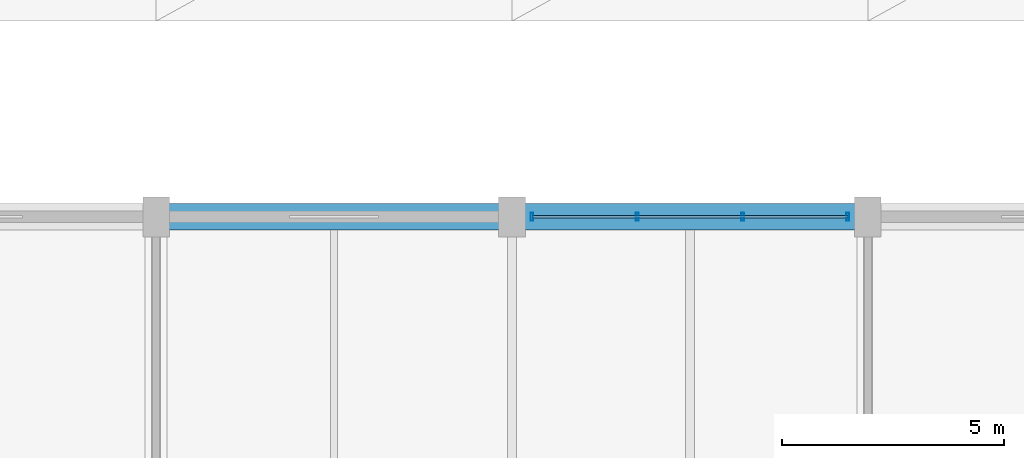
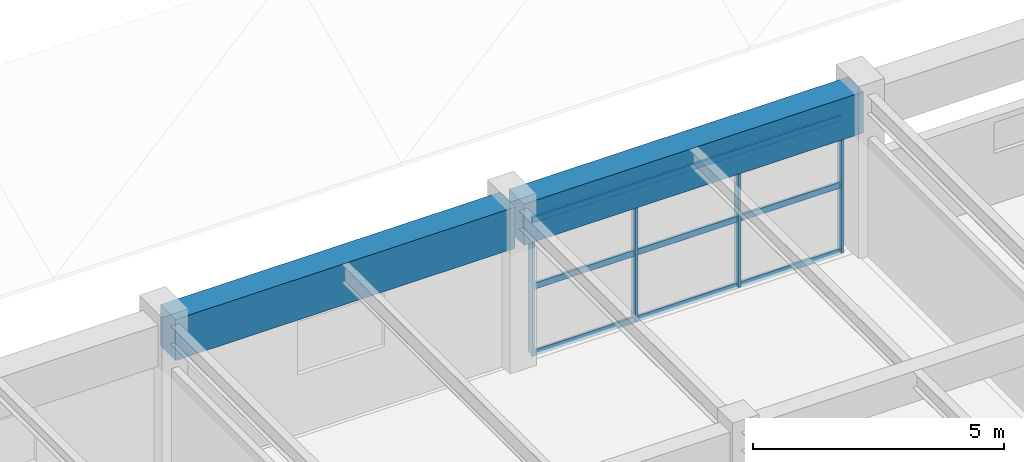
# One storey, part 31 of 126: 7 members, 2 beams, 1 element without a shape of its own.
"""IFC4 building model written with IfcOpenShell, lengths in metres."""

from ifc_helpers import new_model, si_unit, direction, frame, origin, origin_2d, place, context, subcontext, project, spatial, rectangle, hollow_rectangle, extrude, material, material_profile, profile_set, type_object, element, aggregate, save


model = new_model("IFC4")

# Units and contexts
model_context = context("Model", 3, precision=1e-05, world=origin(), true_north=direction((0.0, 1.0)))
body_context = subcontext(model_context, "Body", "Model", "MODEL_VIEW")
ifc_project = project(units=[si_unit("LENGTHUNIT", "METRE"), si_unit("AREAUNIT", "SQUARE_METRE"), si_unit("VOLUMEUNIT", "CUBIC_METRE"), si_unit("PLANEANGLEUNIT", "RADIAN"), si_unit("MASSUNIT", "GRAM", prefix="KILO")], contexts=[model_context])

# Site, building, storey
site_placement = place(None, origin())
site = spatial("IfcSite", under=ifc_project, at=site_placement, CompositionType="ELEMENT")
building_placement = place(site_placement, origin())
building = spatial("IfcBuilding", under=site, at=building_placement, Name="Varnabhumi Central Station", CompositionType="ELEMENT")
storey_placement = place(building_placement, frame((0.0, 0.0, 16.199951171875)))
storey = spatial("IfcBuildingStorey", under=building, at=storey_placement, Name="L03", CompositionType="ELEMENT", Elevation=16.199951171875)

# Beams
ifc_material_1 = material(Name="Concrete M50", Category="concrete")
ifc_material_profile_1 = material_profile(ifc_material_1, rectangle(XDim=0.60009765625, YDim=1.0, at=origin_2d()), Name="Concrete M50", Category="concrete")
ifc_profile_set_1 = profile_set([ifc_material_profile_1], Name="Concrete M50")
beam_type = type_object("IfcBeamType", Name="BM-RC-600x1000", PredefinedType="BEAM", material=ifc_profile_set_1)
for number, where, z_axis, x_axis, name in (
    (1, (96.10009765625, 36.0, 3.420166015625), (1.0, 0.0, 0.0), (0.0, 1.0, 0.0), "Beam L03-E:13-14"),
    (2, (104.10009765625, 36.0, 3.420166015625), (1.0, 0.0, 0.0), (0.0, 1.0, 0.0), "Beam L03-E:14-15"),
):
    element("IfcBeam", number, at=place(storey_placement, frame(where, z_axis=z_axis, x_axis=x_axis)), inside=storey, type_object=beam_type, Name=name, PredefinedType="BEAM", context=body_context, shape_type="SweptSolid", body=[
        extrude(rectangle(XDim=0.60009765625, YDim=1.0, at=origin_2d()), origin(), (0.0, 0.0, 1.0), 7.7998046875),
    ])

# Curtain wall, members
ifc_material_2 = material(Name="Anodised aluminium 6063-T6", Category="aluminium")
curtain_wall_type = type_object("IfcCurtainWallType", Name="CW-SPINE-SCREEN-L0", PredefinedType="NOTDEFINED", material=ifc_material_2)
curtain_wall_placement = place(storey_placement, origin())
curtain_wall = element("IfcCurtainWall", 3, at=curtain_wall_placement, inside=storey, type_object=curtain_wall_type, Name="Curtain Wall CW-SS309", PredefinedType="NOTDEFINED")
ifc_material_profile_2 = material_profile(ifc_material_2, hollow_rectangle(XDim=0.06494140625, YDim=0.179931640625, WallThickness=0.00390625, InnerFilletRadius=0.001953125, OuterFilletRadius=0.006103515625, at=origin_2d()), Name="Anodised aluminium 6063-T6", Category="aluminium")
ifc_profile_set_2 = profile_set([ifc_material_profile_2], Name="Anodised aluminium 6063-T6")
member_type_1 = type_object("IfcMemberType", Name="CW-MUL-180", PredefinedType="MULLION", material=ifc_profile_set_2)
member_1_placement = place(storey_placement, frame((104.449951171875, 36.0, 0.0), z_axis=(0.0, 0.0, 1.0), x_axis=(1.0, 0.0, 0.0)))
member_1 = element("IfcMember", 4, at=member_1_placement, type_object=member_type_1, Name="Curtain Wall Mullion CW-SS309-M1", PredefinedType="MULLION", context=body_context, shape_type="SweptSolid", body=[
    extrude(hollow_rectangle(XDim=0.06494140625, YDim=0.179931640625, WallThickness=0.00390625, InnerFilletRadius=0.001953125, OuterFilletRadius=0.006103515625, at=origin_2d()), origin(), (0.0, 0.0, 1.0), 3.239990234375),
])
member_2_placement = place(storey_placement, frame((106.816650390625, 36.0, 0.0), z_axis=(0.0, 0.0, 1.0), x_axis=(1.0, 0.0, 0.0)))
member_2 = element("IfcMember", 5, at=member_2_placement, type_object=member_type_1, Name="Curtain Wall Mullion CW-SS309-M2", PredefinedType="MULLION", context=body_context, shape_type="SweptSolid", body=[
    extrude(hollow_rectangle(XDim=0.06494140625, YDim=0.179931640625, WallThickness=0.00390625, InnerFilletRadius=0.001953125, OuterFilletRadius=0.006103515625, at=origin_2d()), origin(), (0.0, 0.0, 1.0), 3.239990234375),
])
member_3_placement = place(storey_placement, frame((109.183349609375, 36.0, 0.0), z_axis=(0.0, 0.0, 1.0), x_axis=(1.0, 0.0, 0.0)))
member_3 = element("IfcMember", 6, at=member_3_placement, type_object=member_type_1, Name="Curtain Wall Mullion CW-SS309-M3", PredefinedType="MULLION", context=body_context, shape_type="SweptSolid", body=[
    extrude(hollow_rectangle(XDim=0.06494140625, YDim=0.179931640625, WallThickness=0.00390625, InnerFilletRadius=0.001953125, OuterFilletRadius=0.006103515625, at=origin_2d()), origin(), (0.0, 0.0, 1.0), 3.239990234375),
])
member_4_placement = place(storey_placement, frame((111.550048828125, 36.0, 0.0), z_axis=(0.0, 0.0, 1.0), x_axis=(1.0, 0.0, 0.0)))
member_4 = element("IfcMember", 7, at=member_4_placement, type_object=member_type_1, Name="Curtain Wall Mullion CW-SS309-M4", PredefinedType="MULLION", context=body_context, shape_type="SweptSolid", body=[
    extrude(hollow_rectangle(XDim=0.06494140625, YDim=0.179931640625, WallThickness=0.00390625, InnerFilletRadius=0.001953125, OuterFilletRadius=0.006103515625, at=origin_2d()), origin(), (0.0, 0.0, 1.0), 3.239990234375),
])
ifc_material_profile_3 = material_profile(ifc_material_2, hollow_rectangle(XDim=0.06005859375, YDim=0.14990234375, WallThickness=0.00390625, InnerFilletRadius=0.001953125, OuterFilletRadius=0.006103515625, at=origin_2d()), Name="Anodised aluminium 6063-T6", Category="aluminium")
ifc_profile_set_3 = profile_set([ifc_material_profile_3], Name="Anodised aluminium 6063-T6")
member_type_2 = type_object("IfcMemberType", Name="CW-TR-150", PredefinedType="USERDEFINED", material=ifc_profile_set_3)
member_5_placement = place(storey_placement, frame((104.449951171875, 36.0, 0.0), z_axis=(1.0, 0.0, 0.0), x_axis=(0.0, 1.0, 0.0)))
member_5 = element("IfcMember", 8, at=member_5_placement, type_object=member_type_2, Name="Curtain Wall Transom CW-SS309-T1", ObjectType="TRANSOM", PredefinedType="USERDEFINED", context=body_context, shape_type="SweptSolid", body=[
    extrude(hollow_rectangle(XDim=0.06005859375, YDim=0.14990234375, WallThickness=0.00390625, InnerFilletRadius=0.001953125, OuterFilletRadius=0.006103515625, at=origin_2d()), origin(), (0.0, 0.0, 1.0), 7.10009765625),
])
member_6_placement = place(storey_placement, frame((104.449951171875, 36.0, 1.6201171875), z_axis=(1.0, 0.0, 0.0), x_axis=(0.0, 1.0, 0.0)))
member_6 = element("IfcMember", 9, at=member_6_placement, type_object=member_type_2, Name="Curtain Wall Transom CW-SS309-T2", ObjectType="TRANSOM", PredefinedType="USERDEFINED", context=body_context, shape_type="SweptSolid", body=[
    extrude(hollow_rectangle(XDim=0.06005859375, YDim=0.14990234375, WallThickness=0.00390625, InnerFilletRadius=0.001953125, OuterFilletRadius=0.006103515625, at=origin_2d()), origin(), (0.0, 0.0, 1.0), 7.10009765625),
])
member_7_placement = place(storey_placement, frame((104.449951171875, 36.0, 3.239990234375), z_axis=(1.0, 0.0, 0.0), x_axis=(0.0, 1.0, 0.0)))
member_7 = element("IfcMember", 10, at=member_7_placement, type_object=member_type_2, Name="Curtain Wall Transom CW-SS309-T3", ObjectType="TRANSOM", PredefinedType="USERDEFINED", context=body_context, shape_type="SweptSolid", body=[
    extrude(hollow_rectangle(XDim=0.06005859375, YDim=0.14990234375, WallThickness=0.00390625, InnerFilletRadius=0.001953125, OuterFilletRadius=0.006103515625, at=origin_2d()), origin(), (0.0, 0.0, 1.0), 7.10009765625),
])
aggregate(curtain_wall, [member_1, member_2, member_3, member_4, member_5, member_6, member_7])

save(model, "model.ifc")
